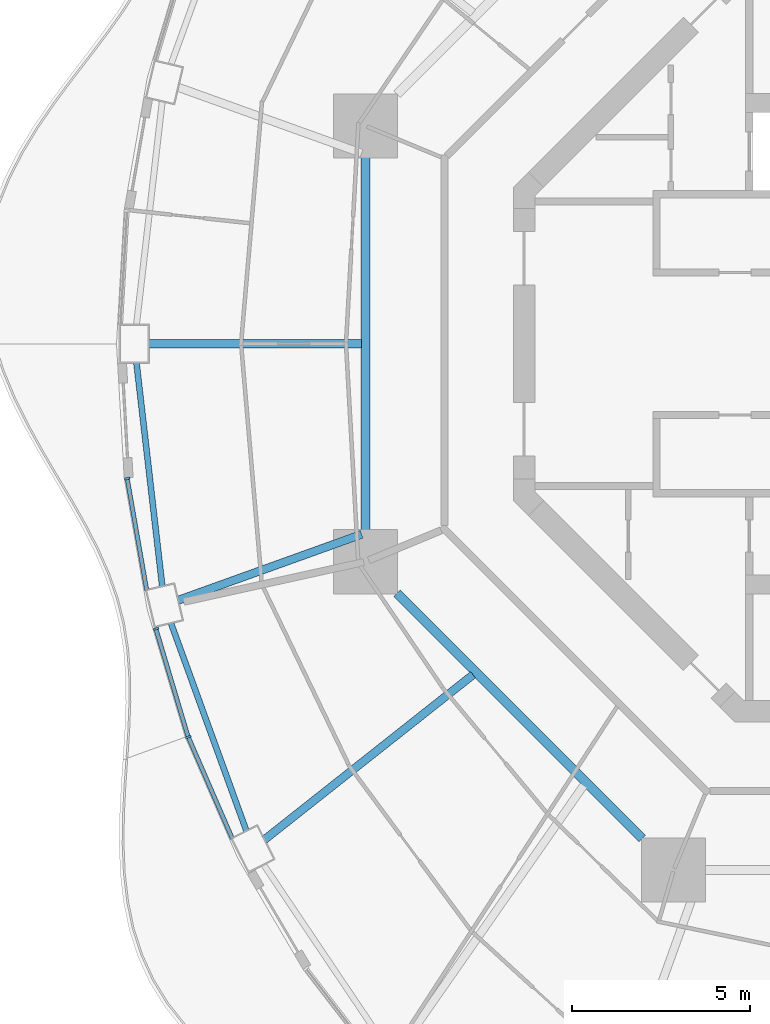
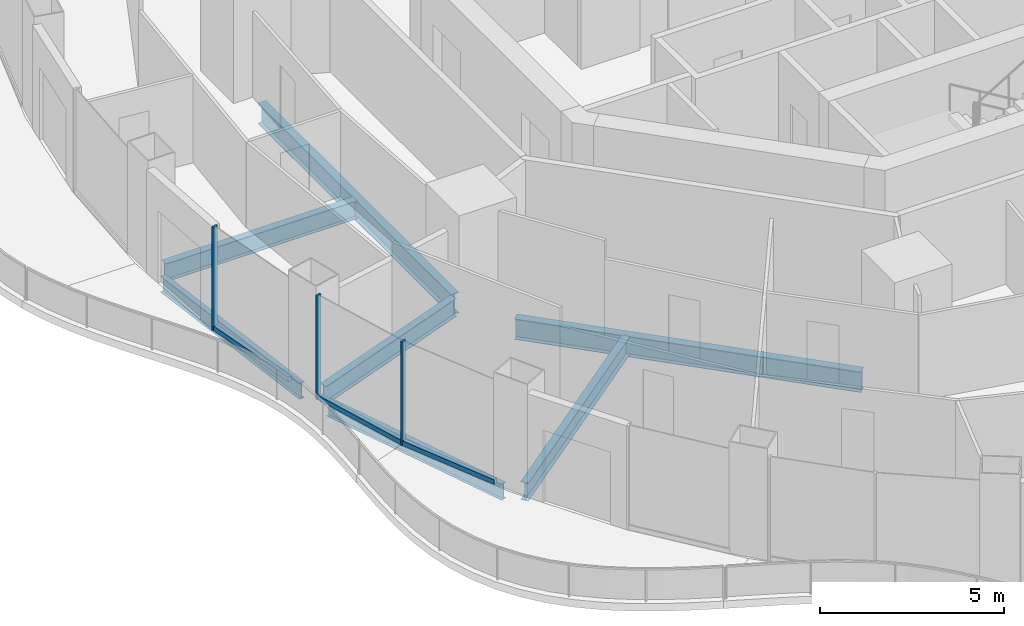
# One storey, part 3 of 19: 7 beams, 6 members, 3 elements without a shape of their own.
"""IFC4 building model written with IfcOpenShell, lengths in metres."""

import ifcopenshell
import ifcopenshell.guid

model = None  # the IFC model being written
_history = None  # IfcOwnerHistory: only IFC2X3 demands one
_inside = {}  # id of a spatial element -> (the spatial element, [elements in it])
_under = {}  # id of a project, library or spatial element -> (it, [spatial elements below it])
_declared = {}  # id of a project -> (the project, [libraries it declares])
_typed = {}  # id of a type object -> (the type object, [elements of that type])
_made_of = {}  # id of a material, layer set ... -> (it, [elements and type objects made of it])


def new_model(schema):
    """Start an empty IFC model of exactly this schema.

    Asked for "IFC4X3", IfcOpenShell would pick the latest addendum, in which some entities
    have other attributes; the version numbers below select the first issue.
    IFC2X3 requires an IfcOwnerHistory on every rooted entity: one is made here for all.
    """
    global model, _history
    if schema == "IFC4X3":
        model = ifcopenshell.file(schema_version=(4, 3, 0, 0))
    else:
        model = ifcopenshell.file(schema=schema)
    _inside.clear()
    _under.clear()
    _declared.clear()
    _typed.clear()
    _made_of.clear()
    _history = None
    if model.schema == "IFC2X3":
        org = make("IfcOrganization", Name="unknown")
        user = make(
            "IfcPersonAndOrganization",
            ThePerson=make("IfcPerson", FamilyName="unknown"),
            TheOrganization=org,
        )
        app = make(
            "IfcApplication",
            ApplicationDeveloper=org,
            Version="unknown",
            ApplicationFullName="unknown",
            ApplicationIdentifier="unknown",
        )
        _history = make(
            "IfcOwnerHistory",
            OwningUser=user,
            OwningApplication=app,
            ChangeAction="ADDED",
            CreationDate=0,
        )
    return model


def make(cls, **values):
    """One entity of the class cls with the attributes given. An attribute that is None is left unset."""
    return model.create_entity(
        cls, **{name: value for name, value in values.items() if value is not None}
    )


def rooted(cls, **values):
    """An entity with a GlobalId (a new one), such as an element, a storey or a relation."""
    return make(cls, GlobalId=ifcopenshell.guid.new(), OwnerHistory=_history, **values)


def si_unit(unit_type, name, prefix=None):
    """IfcSIUnit, for example si_unit("LENGTHUNIT", "METRE", prefix="MILLI")."""
    return make("IfcSIUnit", UnitType=unit_type, Prefix=prefix, Name=name)


def assignment(units):
    """IfcUnitAssignment: the units of a project."""
    return None if units is None else make("IfcUnitAssignment", Units=units)


def point(xyz):
    """IfcCartesianPoint."""
    return None if xyz is None else make("IfcCartesianPoint", Coordinates=xyz)


def direction(xyz):
    """IfcDirection."""
    return None if xyz is None else make("IfcDirection", DirectionRatios=xyz)


def frame(location, z_axis=None, x_axis=None):
    """IfcAxis2Placement3D, a coordinate frame: its origin and axes. An axis left out is left unset."""
    return make(
        "IfcAxis2Placement3D",
        Location=point(location),
        Axis=direction(z_axis),
        RefDirection=direction(x_axis),
    )


def frame_2d(location, x_axis=None):
    """IfcAxis2Placement2D, a coordinate frame in the plane: its origin and x axis."""
    return make(
        "IfcAxis2Placement2D", Location=point(location), RefDirection=direction(x_axis)
    )


def origin():
    """The frame at (0, 0, 0) with its axes left unset."""
    return frame((0.0, 0.0, 0.0))


def origin_2d():
    """The frame at (0, 0) in the plane with its x axis left unset."""
    return frame_2d((0.0, 0.0))


def place(relative_to, where):
    """IfcLocalPlacement: puts the frame where relative to a parent placement (None: the world)."""
    return make(
        "IfcLocalPlacement", PlacementRelTo=relative_to, RelativePlacement=where
    )


def context(
    kind, dimensions, precision=None, world=None, true_north=None, identifier=None
):
    """IfcGeometricRepresentationContext, for example the 3D "Model" context."""
    return make(
        "IfcGeometricRepresentationContext",
        ContextIdentifier=identifier,
        ContextType=kind,
        CoordinateSpaceDimension=dimensions,
        Precision=precision,
        WorldCoordinateSystem=world,
        TrueNorth=true_north,
    )


def subcontext(parent, identifier, kind, view, scale=None):
    """IfcGeometricRepresentationSubContext, for example "Body" below "Model"."""
    return make(
        "IfcGeometricRepresentationSubContext",
        ContextIdentifier=identifier,
        ContextType=kind,
        ParentContext=parent,
        TargetScale=scale,
        TargetView=view,
    )


def project(units=None, contexts=None):
    """IfcProject with its units and contexts."""
    return rooted(
        "IfcProject",
        Name="project",
        RepresentationContexts=contexts,
        UnitsInContext=assignment(units),
    )


def spatial(cls, under=None, at=None, **own):
    """A site, building, storey or space (cls), placed at a placement, below another one or the project."""
    s = rooted(cls, ObjectPlacement=at, **own)
    if under is not None:
        _under.setdefault(under.id(), (under, []))[1].append(s)
    return s


def profile(cls, at=None, kind="AREA", **sizes):
    """A parametric profile (cls). Its sizes go by their IFC names, for example OverallWidth=200.0."""
    return make(cls, ProfileType=kind, Position=at, **sizes)


def rectangle(**sizes):
    """IfcRectangleProfileDef."""
    return profile("IfcRectangleProfileDef", **sizes)


def i_section(**sizes):
    """IfcIShapeProfileDef."""
    return profile("IfcIShapeProfileDef", **sizes)


def extrude(swept, where, along, depth):
    """IfcExtrudedAreaSolid: the profile swept, set in the frame where, extruded along a direction by depth."""
    return make(
        "IfcExtrudedAreaSolid",
        SweptArea=swept,
        Position=where,
        ExtrudedDirection=direction(along),
        Depth=depth,
    )


def shape(context_of_items, identifier, shape_type, items):
    """IfcShapeRepresentation: the items that make up one representation, for example the "Body"."""
    return make(
        "IfcShapeRepresentation",
        ContextOfItems=context_of_items,
        RepresentationIdentifier=identifier,
        RepresentationType=shape_type,
        Items=items,
    )


def material(Name=None, Category=None):
    """IfcMaterial."""
    return make("IfcMaterial", Name=Name, Category=Category)


def layer(
    of_material, thickness, ventilated=None, Name=None, Category=None, Priority=None
):
    """IfcMaterialLayer: one layer of a wall or slab, of a material (None: an air gap)."""
    return make(
        "IfcMaterialLayer",
        Material=of_material,
        LayerThickness=thickness,
        IsVentilated=ventilated,
        Name=Name,
        Category=Category,
        Priority=Priority,
    )


def layer_set(layers, Name=None):
    """IfcMaterialLayerSet."""
    return make("IfcMaterialLayerSet", MaterialLayers=layers, LayerSetName=Name)


def material_profile(
    of_material, cross_section, Name=None, Category=None, Priority=None
):
    """IfcMaterialProfile: a cross section and its material."""
    return make(
        "IfcMaterialProfile",
        Name=Name,
        Material=of_material,
        Profile=cross_section,
        Priority=Priority,
        Category=Category,
    )


def profile_set(profiles, Name=None, composite=None):
    """IfcMaterialProfileSet."""
    return make(
        "IfcMaterialProfileSet",
        Name=Name,
        MaterialProfiles=profiles,
        CompositeProfile=composite,
    )


def made_of(thing, what):
    """Note that an element or type object is made of a material, layer set ...; save() writes the relation."""
    if what is not None:
        _made_of.setdefault(what.id(), (what, []))[1].append(thing)
    return thing


def type_object(cls, material=None, **own):
    """A type object (cls), such as IfcWallType, which elements share."""
    return made_of(rooted(cls, **own), material)


def element(
    cls,
    number,
    at=None,
    inside=None,
    cuts=None,
    type_object=None,
    material=None,
    context=None,
    identifier="Body",
    shape_type=None,
    held_by="IfcProductDefinitionShape",
    body=None,
    shapes=None,
    **own,
):
    """One element of the class cls, such as IfcWall. Its Tag is "e" and its number.

    at: its placement. inside: the storey or other place that contains it. cuts: it is an
    opening in that element (IfcRelVoidsElement). A single representation is given by context,
    identifier, shape_type and body (its items); several are given by shapes. held_by: the class
    of the entity that holds the representations. save() writes the other relations.
    """
    e = rooted(cls, Tag="e%d" % number, ObjectPlacement=at, **own)
    if body is not None:
        shapes = [shape(context, identifier, shape_type, body)]
    if shapes is not None:
        e.Representation = make(held_by, Representations=shapes)
    if inside is not None:
        _inside.setdefault(inside.id(), (inside, []))[1].append(e)
    if cuts is not None:
        rooted(
            "IfcRelVoidsElement", RelatingBuildingElement=cuts, RelatedOpeningElement=e
        )
    if type_object is not None:
        _typed.setdefault(type_object.id(), (type_object, []))[1].append(e)
    return made_of(e, material)


def aggregate(whole, parts):
    """IfcRelAggregates: a whole, such as a stair, and the parts it consists of."""
    return rooted("IfcRelAggregates", RelatingObject=whole, RelatedObjects=parts)


def save(model, path):
    """Write the relations noted so far, then the file.

    IfcRelAggregates (storeys below a building ...), IfcRelContainedInSpatialStructure (elements
    in a storey), IfcRelDefinesByType, IfcRelAssociatesMaterial and IfcRelDeclares: one each for
    every whole, place, type object, material and project.
    """
    for whole, parts in _under.values():
        aggregate(whole, parts)
    for where, things in _inside.values():
        rooted(
            "IfcRelContainedInSpatialStructure",
            RelatedElements=things,
            RelatingStructure=where,
        )
    for kind, things in _typed.values():
        rooted("IfcRelDefinesByType", RelatedObjects=things, RelatingType=kind)
    for what, things in _made_of.values():
        rooted("IfcRelAssociatesMaterial", RelatedObjects=things, RelatingMaterial=what)
    for by, libraries in _declared.values():
        rooted("IfcRelDeclares", RelatingContext=by, RelatedDefinitions=libraries)
    model.write(path)


model = new_model("IFC4")

# Units and contexts
model_context = context("Model", 3, precision=1e-05, world=origin(), true_north=direction((0.0, 1.0)))
body_context = subcontext(model_context, "Body", "Model", "MODEL_VIEW")
ifc_project = project(units=[si_unit("LENGTHUNIT", "METRE"), si_unit("AREAUNIT", "SQUARE_METRE"), si_unit("VOLUMEUNIT", "CUBIC_METRE"), si_unit("PLANEANGLEUNIT", "RADIAN"), si_unit("MASSUNIT", "GRAM", prefix="KILO")], contexts=[model_context])

# Site, building, storey
site_placement = place(None, origin())
site = spatial("IfcSite", under=ifc_project, at=site_placement, CompositionType="ELEMENT")
building_placement = place(site_placement, origin())
building = spatial("IfcBuilding", under=site, at=building_placement, Name="Nagisa Residences", CompositionType="ELEMENT")
storey_placement = place(building_placement, frame((0.0, 0.0, 191.800048828125)))
storey = spatial("IfcBuildingStorey", under=building, at=storey_placement, Name="L48", CompositionType="ELEMENT", Elevation=191.800048828125)

# Curtain wall, member
ifc_material_1 = material(Name="Concrete-coloured aluminium curtain wall system", Category="concrete")
ifc_layer = layer(ifc_material_1, 0.159912109375)
ifc_layer_set = layer_set([ifc_layer], Name="CW1 CURTAIN WALL")
curtain_wall_type = type_object("IfcCurtainWallType", Name="CW1 CURTAIN WALL", PredefinedType="NOTDEFINED", material=ifc_layer_set)
curtain_wall_1_placement = place(storey_placement, origin())
curtain_wall_1 = element("IfcCurtainWall", 1, at=curtain_wall_1_placement, inside=storey, type_object=curtain_wall_type, Name="cw:CW1:L48:25", PredefinedType="NOTDEFINED")
ifc_material_2 = material(Name="Concrete-coloured aluminium", Category="concrete")
ifc_material_profile_1 = material_profile(ifc_material_2, rectangle(XDim=0.159912109375, YDim=0.06005859375, at=origin_2d()), Name="CW1 MULLION 160x60")
ifc_profile_set_1 = profile_set([ifc_material_profile_1], Name="Concrete-coloured aluminium")
member_type_1 = type_object("IfcMemberType", Name="CW1 MULLION 160x60", PredefinedType="MULLION", material=ifc_profile_set_1)
member_1_placement = place(storey_placement, frame((-21.473876953125, -3.78466796875, 0.0), z_axis=(0.0, 0.0, 1.0), x_axis=(0.985063604377, 0.172190868898, 0.0)))
member_1 = element("IfcMember", 2, at=member_1_placement, type_object=member_type_1, Name="CW1 mullion", PredefinedType="MULLION", context=body_context, shape_type="SweptSolid", body=[
    extrude(rectangle(XDim=0.159912109375, YDim=0.06005859375, at=origin_2d()), origin(), (0.0, 0.0, 1.0), 3.43994140625),
])

curtain_wall_2_placement = place(storey_placement, origin())
curtain_wall_2 = element("IfcCurtainWall", 3, at=curtain_wall_2_placement, inside=storey, type_object=curtain_wall_type, Name="cw:CW1:L48:26", PredefinedType="NOTDEFINED")
member_2_placement = place(storey_placement, frame((-20.66796875, -8.00634765625, 0.0), z_axis=(0.0, 0.0, 1.0), x_axis=(0.958271310082, 0.285860274038, 0.0)))
member_2 = element("IfcMember", 4, at=member_2_placement, type_object=member_type_1, Name="CW1 mullion", PredefinedType="MULLION", context=body_context, shape_type="SweptSolid", body=[
    extrude(rectangle(XDim=0.159912109375, YDim=0.06005859375, at=origin_2d()), origin(), (0.0, 0.0, 1.0), 3.43994140625),
])

curtain_wall_3_placement = place(storey_placement, origin())
curtain_wall_3 = element("IfcCurtainWall", 5, at=curtain_wall_3_placement, inside=storey, type_object=curtain_wall_type, Name="cw:CW1:L48:27", PredefinedType="NOTDEFINED")
member_3_placement = place(storey_placement, frame((-19.758056640625, -11.045654296875, 0.0), z_axis=(0.0, 0.0, 1.0), x_axis=(0.917543276295, 0.397635934147, 0.0)))
member_3 = element("IfcMember", 6, at=member_3_placement, type_object=member_type_1, Name="CW1 mullion", PredefinedType="MULLION", context=body_context, shape_type="SweptSolid", body=[
    extrude(rectangle(XDim=0.159912109375, YDim=0.06005859375, at=origin_2d()), origin(), (0.0, 0.0, 1.0), 3.43994140625),
])

# Member
ifc_material_3 = material(Name="Concrete-coloured aluminium", Category="concrete")
ifc_material_profile_2 = material_profile(ifc_material_3, rectangle(XDim=0.1201171875, YDim=0.14990234375, at=origin_2d()), Name="CW1 TRANSOM 120x150")
ifc_profile_set_2 = profile_set([ifc_material_profile_2], Name="Concrete-coloured aluminium")
member_type_2 = type_object("IfcMemberType", Name="CW1 TRANSOM 120x150", PredefinedType="USERDEFINED", material=ifc_profile_set_2)
member_4_placement = place(storey_placement, frame((-21.47900390625, -3.755126953125, 0.074951171875), z_axis=(0.172162664901, -0.98506853407, 0.0), x_axis=(0.98506853407, 0.172162664901, 0.0)))
member_4 = element("IfcMember", 7, at=member_4_placement, type_object=member_type_2, Name="CW1 transom", ObjectType="TRANSOM", PredefinedType="USERDEFINED", context=body_context, shape_type="SweptSolid", body=[
    extrude(rectangle(XDim=0.1201171875, YDim=0.14990234375, at=origin_2d()), origin(), (0.0, 0.0, 1.0), 3.21044921875),
])

aggregate(curtain_wall_1, [member_1, member_4])

member_5_placement = place(storey_placement, frame((-20.676513671875, -7.9775390625, 0.074951171875), z_axis=(0.28584838049, -0.958274857946, 0.0), x_axis=(0.958274857946, 0.28584838049, 0.0)))
member_5 = element("IfcMember", 8, at=member_5_placement, type_object=member_type_2, Name="CW1 transom", ObjectType="TRANSOM", PredefinedType="USERDEFINED", context=body_context, shape_type="SweptSolid", body=[
    extrude(rectangle(XDim=0.1201171875, YDim=0.14990234375, at=origin_2d()), origin(), (0.0, 0.0, 1.0), 3.182373046875),
])

aggregate(curtain_wall_2, [member_2, member_5])

member_6_placement = place(storey_placement, frame((-19.77001953125, -11.01806640625, 0.074951171875), z_axis=(0.397592173732, -0.917562239517, 0.0), x_axis=(0.917562239517, 0.397592173732, 0.0)))
member_6 = element("IfcMember", 9, at=member_6_placement, type_object=member_type_2, Name="CW1 transom", ObjectType="TRANSOM", PredefinedType="USERDEFINED", context=body_context, shape_type="SweptSolid", body=[
    extrude(rectangle(XDim=0.1201171875, YDim=0.14990234375, at=origin_2d()), origin(), (0.0, 0.0, 1.0), 3.14208984375),
])

aggregate(curtain_wall_3, [member_3, member_6])

# Beams
ifc_material_4 = material(Name="Steel ASTM A572 Gr 50", Category="steel")
ifc_material_profile_3 = material_profile(ifc_material_4, i_section(OverallWidth=0.25390625, OverallDepth=0.68408203125, WebThickness=0.012451171875, FlangeThickness=0.018798828125, at=origin_2d()), Name="W690x140")
ifc_profile_set_3 = profile_set([ifc_material_profile_3], Name="Steel ASTM A572 Gr 50")
beam_type_1 = type_object("IfcBeamType", Name="Inner ring beam W690x140", PredefinedType="BEAM", material=ifc_profile_set_3)
beam_1_placement = place(storey_placement, frame((-14.781982421875, 5.242919921875, -0.60205078125), z_axis=(0.0, -1.0, 0.0), x_axis=(1.0, 0.0, 0.0)))
element("IfcBeam", 10, at=beam_1_placement, inside=storey, type_object=beam_type_1, Name="beam:L48:ib4", PredefinedType="BEAM", context=body_context, shape_type="SweptSolid", body=[
    extrude(i_section(OverallWidth=0.25390625, OverallDepth=0.68408203125, WebThickness=0.012451171875, FlangeThickness=0.018798828125, at=origin_2d()), origin(), (0.0, 0.0, 1.0), 10.48583984375),
])
beam_2_placement = place(storey_placement, frame((-13.896240234375, -7.0087890625, -0.60205078125), z_axis=(0.707106781187, -0.707106781187, 0.0), x_axis=(0.707106781187, 0.707106781187, 0.0)))
element("IfcBeam", 11, at=beam_2_placement, inside=storey, type_object=beam_type_1, Name="beam:L48:ib5", PredefinedType="BEAM", context=body_context, shape_type="SweptSolid", body=[
    extrude(i_section(OverallWidth=0.25390625, OverallDepth=0.68408203125, WebThickness=0.012451171875, FlangeThickness=0.018798828125, at=origin_2d()), origin(), (0.0, 0.0, 1.0), 9.740234375),
])
ifc_material_5 = material(Name="Steel ASTM A572 Gr 50", Category="steel")
ifc_material_profile_4 = material_profile(ifc_material_5, i_section(OverallWidth=0.166015625, OverallDepth=0.534912109375, WebThickness=0.01025390625, FlangeThickness=0.0166015625, at=origin_2d()), Name="W530x85")
ifc_profile_set_4 = profile_set([ifc_material_profile_4], Name="Steel ASTM A572 Gr 50")
beam_type_2 = type_object("IfcBeamType", Name="Perimeter ring beam W530x85", PredefinedType="BEAM", material=ifc_profile_set_4)
beam_3_placement = place(storey_placement, frame((-21.2138671875, -0.530029296875, -0.527587890625), z_axis=(0.114670987431, -0.993403525583, 0.0), x_axis=(0.993403525583, 0.114670987431, 0.0)))
element("IfcBeam", 12, at=beam_3_placement, inside=storey, type_object=beam_type_2, Name="beam:L48:pb13", PredefinedType="BEAM", context=body_context, shape_type="SweptSolid", body=[
    extrude(i_section(OverallWidth=0.166015625, OverallDepth=0.534912109375, WebThickness=0.01025390625, FlangeThickness=0.0166015625, at=origin_2d()), origin(), (0.0, 0.0, 1.0), 6.325439453125),
])
beam_4_placement = place(storey_placement, frame((-20.2451171875, -7.845703125, -0.527587890625), z_axis=(0.341285525681, -0.939959674646, 0.0), x_axis=(0.939959674646, 0.341285525681, 0.0)))
element("IfcBeam", 13, at=beam_4_placement, inside=storey, type_object=beam_type_2, Name="beam:L48:pb14", PredefinedType="BEAM", context=body_context, shape_type="SweptSolid", body=[
    extrude(i_section(OverallWidth=0.166015625, OverallDepth=0.534912109375, WebThickness=0.01025390625, FlangeThickness=0.0166015625, at=origin_2d()), origin(), (0.0, 0.0, 1.0), 6.212890625),
])
ifc_material_6 = material(Name="Steel ASTM A572 Gr 50", Category="steel")
ifc_material_profile_5 = material_profile(ifc_material_6, i_section(OverallWidth=0.22802734375, OverallDepth=0.60302734375, WebThickness=0.010498046875, FlangeThickness=0.014892578125, at=origin_2d()), Name="W610x101")
ifc_profile_set_5 = profile_set([ifc_material_profile_5], Name="Steel ASTM A572 Gr 50")
beam_type_3 = type_object("IfcBeamType", Name="Radial beam W610x101", PredefinedType="BEAM", material=ifc_profile_set_5)
beam_5_placement = place(storey_placement, frame((-20.8701171875, 0.0, -0.5615234375), z_axis=(1.0, 0.0, 0.0), x_axis=(0.0, 1.0, 0.0)))
element("IfcBeam", 14, at=beam_5_placement, inside=storey, type_object=beam_type_3, Name="beam:L48:rb13", PredefinedType="BEAM", context=body_context, shape_type="SweptSolid", body=[
    extrude(i_section(OverallWidth=0.22802734375, OverallDepth=0.60302734375, WebThickness=0.010498046875, FlangeThickness=0.014892578125, at=origin_2d()), origin(), (0.0, 0.0, 1.0), 5.98095703125),
])
beam_6_placement = place(storey_placement, frame((-20.043701171875, -7.2060546875, -0.5615234375), z_axis=(0.941032808963, 0.338315315137, 0.0), x_axis=(-0.338315315137, 0.941032808963, 0.0)))
element("IfcBeam", 15, at=beam_6_placement, inside=storey, type_object=beam_type_3, Name="beam:L48:rb14", PredefinedType="BEAM", context=body_context, shape_type="SweptSolid", body=[
    extrude(i_section(OverallWidth=0.22802734375, OverallDepth=0.60302734375, WebThickness=0.010498046875, FlangeThickness=0.014892578125, at=origin_2d()), origin(), (0.0, 0.0, 1.0), 5.4765625),
])
beam_7_placement = place(storey_placement, frame((-17.617919921875, -13.930908203125, -0.5615234375), z_axis=(0.784411523752, 0.620240728593, 0.0), x_axis=(-0.620240728593, 0.784411523752, 0.0)))
element("IfcBeam", 16, at=beam_7_placement, inside=storey, type_object=beam_type_3, Name="beam:L48:rb15", PredefinedType="BEAM", context=body_context, shape_type="SweptSolid", body=[
    extrude(i_section(OverallWidth=0.22802734375, OverallDepth=0.60302734375, WebThickness=0.010498046875, FlangeThickness=0.014892578125, at=origin_2d()), origin(), (0.0, 0.0, 1.0), 7.4697265625),
])

save(model, "model.ifc")
